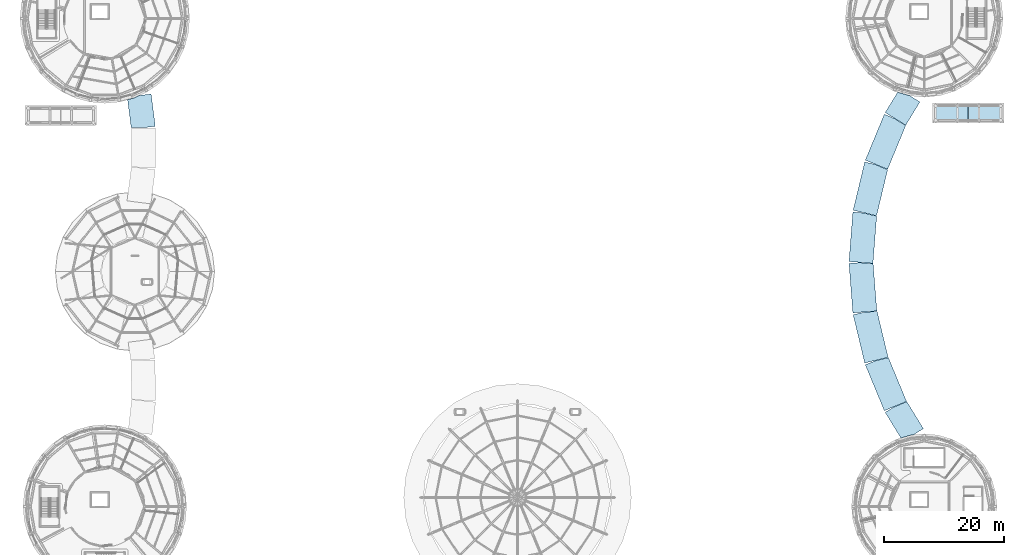
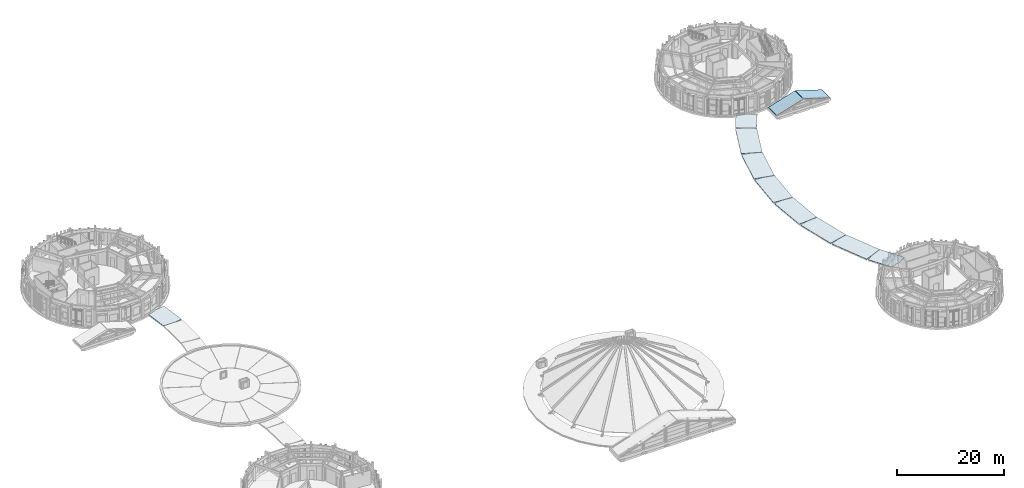
# One storey, part 45 of 58: 11 roofs.
"""IFC4 building model written with IfcOpenShell, lengths in metres."""

from ifc_helpers import new_model, si_unit, direction, frame, origin, place, context, subcontext, project, spatial, polyline, outline, extrude, material, layer, layer_set, type_object, element, save


model = new_model("IFC4")

# Units and contexts
model_context = context("Model", 3, precision=1e-05, world=origin(), true_north=direction((0.0, 1.0)))
body_context = subcontext(model_context, "Body", "Model", "MODEL_VIEW")
ifc_project = project(units=[si_unit("LENGTHUNIT", "METRE"), si_unit("AREAUNIT", "SQUARE_METRE"), si_unit("VOLUMEUNIT", "CUBIC_METRE"), si_unit("PLANEANGLEUNIT", "RADIAN"), si_unit("MASSUNIT", "GRAM", prefix="KILO")], contexts=[model_context])

# Site, building, storey
site_placement = place(None, origin())
site = spatial("IfcSite", under=ifc_project, at=site_placement, CompositionType="ELEMENT")
building_placement = place(site_placement, origin())
building = spatial("IfcBuilding", under=site, at=building_placement, Name="Aldenvaro Health Centre", CompositionType="ELEMENT")
storey_placement = place(building_placement, frame((0.0, 0.0, 8.75)))
storey = spatial("IfcBuildingStorey", under=building, at=storey_placement, Name="L02", CompositionType="ELEMENT", Elevation=8.75)

# Roofs
ifc_material_1 = material(Name="Concrete f'c 40 MPa", Category="concrete")
ifc_layer_1 = layer(ifc_material_1, 0.205078125, Name="Concrete f'c 40 MPa", Category="concrete")
ifc_layer_set_1 = layer_set([ifc_layer_1], Name="Concrete f'c 40 MPa")
roof_type_1 = type_object("IfcRoofType", Name="RF-FLAT-205", PredefinedType="FLAT_ROOF", material=ifc_layer_set_1)
roof_1_placement = place(storey_placement, origin())
element("IfcRoof", 1, at=roof_1_placement, inside=storey, type_object=roof_type_1, Name="West North Curved Garden Walkway Arc 3 flat roof", PredefinedType="FLAT_ROOF", context=body_context, shape_type="SweptSolid", body=[
    extrude(outline(polyline([(26.18603515625, 86.970947265625), (26.876953125, 81.613037109375), (25.202880859375, 81.39697265625), (22.87109375, 81.39697265625), (22.27587890625, 86.02099609375), (23.304931640625, 86.297119140625), (24.202880859375, 86.716064453125), (26.18603515625, 86.970947265625)])), origin(), (0.0, 0.0, 1.0), 0.06005859375),
])
roof_2_placement = place(storey_placement, origin())
element("IfcRoof", 2, at=roof_2_placement, inside=storey, type_object=roof_type_1, Name="East Curved Garden Colonnade Arc 1 flat roof", PredefinedType="FLAT_ROOF", context=body_context, shape_type="SweptSolid", body=[
    extrude(outline(polyline([(153.7890625, 85.64306640625), (151.427001953125, 81.7900390625), (148.01708984375, 83.8798828125), (150.092041015625, 87.264892578125), (152.083984375, 86.68798828125), (153.7890625, 85.64306640625)])), origin(), (0.0, 0.0, 1.0), 0.06005859375),
])
roof_3_placement = place(storey_placement, origin())
element("IfcRoof", 3, at=roof_3_placement, inside=storey, type_object=roof_type_1, Name="East Curved Garden Colonnade Arc 2 flat roof", PredefinedType="FLAT_ROOF", context=body_context, shape_type="SweptSolid", body=[
    extrude(outline(polyline([(148.41796875, 74.4580078125), (144.721923828125, 75.988037109375), (147.8740234375, 83.60009765625), (149.486083984375, 82.93310546875), (151.43310546875, 81.739013671875), (148.41796875, 74.4580078125)])), origin(), (0.0, 0.0, 1.0), 0.06005859375),
])
roof_4_placement = place(storey_placement, origin())
element("IfcRoof", 4, at=roof_4_placement, inside=storey, type_object=roof_type_1, Name="East Curved Garden Colonnade Arc 3 flat roof", PredefinedType="FLAT_ROOF", context=body_context, shape_type="SweptSolid", body=[
    extrude(outline(polyline([(146.591064453125, 66.74609375), (142.700927734375, 67.679931640625), (144.625, 75.68994140625), (146.321044921875, 75.282958984375), (148.430908203125, 74.408935546875), (146.591064453125, 66.74609375)])), origin(), (0.0, 0.0, 1.0), 0.06005859375),
])
roof_5_placement = place(storey_placement, origin())
element("IfcRoof", 5, at=roof_5_placement, inside=storey, type_object=roof_type_1, Name="East Curved Garden Colonnade Arc 4 flat roof", PredefinedType="FLAT_ROOF", context=body_context, shape_type="SweptSolid", body=[
    extrude(outline(polyline([(145.993896484375, 58.843017578125), (142.006103515625, 59.156982421875), (142.652099609375, 67.3701171875), (144.39111328125, 67.23291015625), (146.612060546875, 66.699951171875), (145.993896484375, 58.843017578125)])), origin(), (0.0, 0.0, 1.0), 0.06005859375),
])
roof_6_placement = place(storey_placement, origin())
element("IfcRoof", 6, at=roof_6_placement, inside=storey, type_object=roof_type_1, Name="East Curved Garden Colonnade Arc 5 flat roof", PredefinedType="FLAT_ROOF", context=body_context, shape_type="SweptSolid", body=[
    extrude(outline(polyline([(146.639892578125, 50.944091796875), (142.652099609375, 50.6298828125), (142.006103515625, 58.843017578125), (143.7451171875, 58.97998046875), (146.02197265625, 58.801025390625), (146.639892578125, 50.944091796875)])), origin(), (0.0, 0.0, 1.0), 0.06005859375),
])
roof_7_placement = place(storey_placement, origin())
element("IfcRoof", 7, at=roof_7_placement, inside=storey, type_object=roof_type_1, Name="East Curved Garden Colonnade Arc 6 flat roof", PredefinedType="FLAT_ROOF", context=body_context, shape_type="SweptSolid", body=[
    extrude(outline(polyline([(148.514892578125, 43.243896484375), (144.625, 42.31005859375), (142.700927734375, 50.320068359375), (144.39697265625, 50.72705078125), (146.674072265625, 50.906982421875), (148.514892578125, 43.243896484375)])), origin(), (0.0, 0.0, 1.0), 0.06005859375),
])
roof_8_placement = place(storey_placement, origin())
element("IfcRoof", 8, at=roof_8_placement, inside=storey, type_object=roof_type_1, Name="East Curved Garden Colonnade Arc 7 flat roof", PredefinedType="FLAT_ROOF", context=body_context, shape_type="SweptSolid", body=[
    extrude(outline(polyline([(151.570068359375, 35.929931640625), (147.8740234375, 34.39990234375), (144.721923828125, 42.011962890625), (146.333984375, 42.678955078125), (148.553955078125, 43.2119140625), (151.570068359375, 35.929931640625)])), origin(), (0.0, 0.0, 1.0), 0.06005859375),
])
roof_9_placement = place(storey_placement, origin())
element("IfcRoof", 9, at=roof_9_placement, inside=storey, type_object=roof_type_1, Name="East Curved Garden Colonnade Arc 8 flat roof", PredefinedType="FLAT_ROOF", context=body_context, shape_type="SweptSolid", body=[
    extrude(outline(polyline([(148.01708984375, 34.1201171875), (149.50390625, 35.031982421875), (151.614013671875, 35.905029296875), (154.366943359375, 31.4140625), (152.662109375, 30.368896484375), (152.14892578125, 30.318115234375), (150.62890625, 29.85693359375), (148.01708984375, 34.1201171875)])), origin(), (0.0, 0.0, 1.0), 0.06005859375),
])
ifc_material_2 = material(Name="Cross-laminated timber CLT E1", Category="wood")
ifc_layer_2 = layer(ifc_material_2, 0.239990234375, Name="Cross-laminated timber CLT E1", Category="wood")
ifc_layer_set_2 = layer_set([ifc_layer_2], Name="Cross-laminated timber CLT E1")
roof_type_2 = type_object("IfcRoofType", Name="RF-HIP-240", PredefinedType="HIP_ROOF", material=ifc_layer_set_2)
for number, where, z_axis, x_axis, name in (
    (10, (156.02001953125, 82.25, 1.06494140625), (-0.297240682512, 0.0, 0.954802585177), (0.954802585177, 0.0, 0.297240682512), "Bastion Portico N2 Terracotta Pediment Roof W"),
    (11, (161.830078125, 82.25, 2.85498046875), (0.297240682512, 0.0, 0.954802585177), (0.954802585177, 0.0, -0.297240682512), "Bastion Portico N2 Terracotta Pediment Roof E"),
):
    element("IfcRoof", number, at=place(storey_placement, frame(where, z_axis=z_axis, x_axis=x_axis)), inside=storey, type_object=roof_type_2, Name=name, PredefinedType="HIP_ROOF", context=body_context, shape_type="SweptSolid", body=[
        extrude(outline(polyline([(0.0, 0.0), (6.022187297425734, 0.0), (6.022187297425734, 3.10009765625), (0.0, 3.10009765625), (0.0, 0.0)])), origin(), (0.0, 0.0, -1.0), 0.054931640625),
    ])

save(model, "model.ifc")
